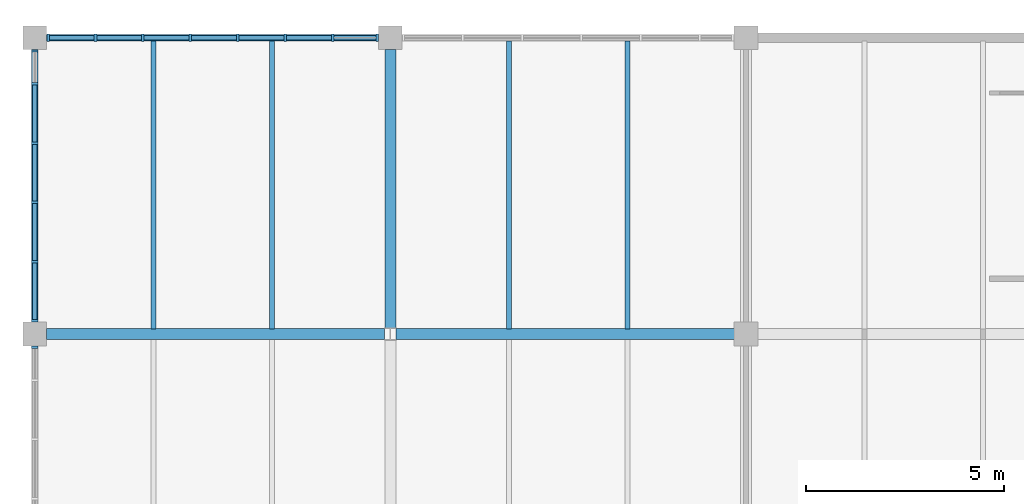
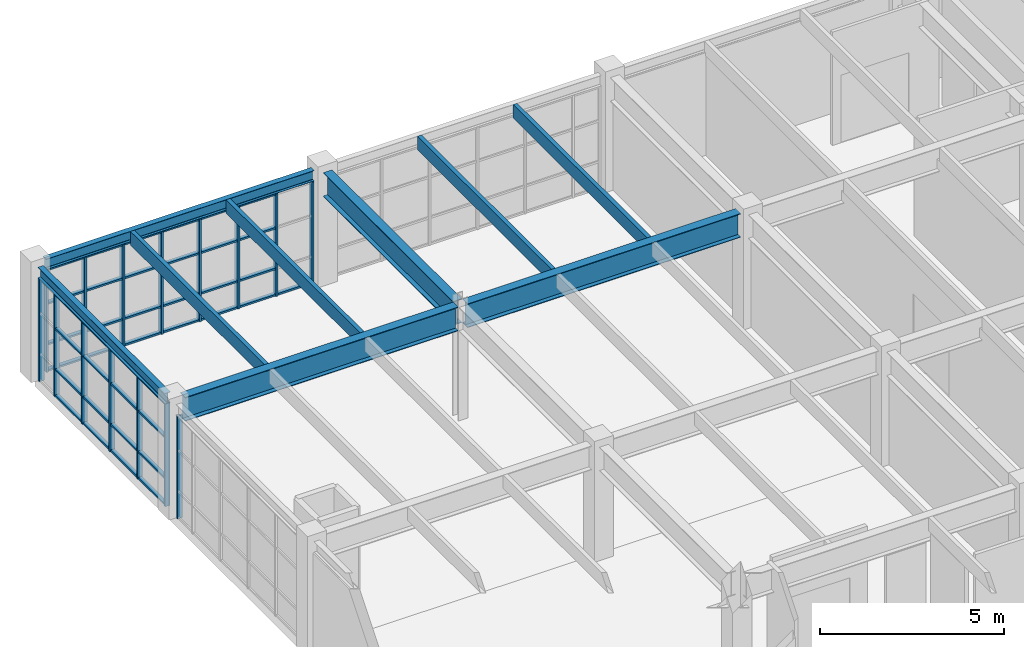
# One storey, part 34 of 76: 56 members, 9 beams, 3 elements without a shape of their own.
"""IFC4 building model written with IfcOpenShell, lengths in metres."""

import ifcopenshell
import ifcopenshell.guid

model = None  # the IFC model being written
_history = None  # IfcOwnerHistory: only IFC2X3 demands one
_inside = {}  # id of a spatial element -> (the spatial element, [elements in it])
_under = {}  # id of a project, library or spatial element -> (it, [spatial elements below it])
_declared = {}  # id of a project -> (the project, [libraries it declares])
_typed = {}  # id of a type object -> (the type object, [elements of that type])
_made_of = {}  # id of a material, layer set ... -> (it, [elements and type objects made of it])


def new_model(schema):
    """Start an empty IFC model of exactly this schema.

    Asked for "IFC4X3", IfcOpenShell would pick the latest addendum, in which some entities
    have other attributes; the version numbers below select the first issue.
    IFC2X3 requires an IfcOwnerHistory on every rooted entity: one is made here for all.
    """
    global model, _history
    if schema == "IFC4X3":
        model = ifcopenshell.file(schema_version=(4, 3, 0, 0))
    else:
        model = ifcopenshell.file(schema=schema)
    _inside.clear()
    _under.clear()
    _declared.clear()
    _typed.clear()
    _made_of.clear()
    _history = None
    if model.schema == "IFC2X3":
        org = make("IfcOrganization", Name="unknown")
        user = make(
            "IfcPersonAndOrganization",
            ThePerson=make("IfcPerson", FamilyName="unknown"),
            TheOrganization=org,
        )
        app = make(
            "IfcApplication",
            ApplicationDeveloper=org,
            Version="unknown",
            ApplicationFullName="unknown",
            ApplicationIdentifier="unknown",
        )
        _history = make(
            "IfcOwnerHistory",
            OwningUser=user,
            OwningApplication=app,
            ChangeAction="ADDED",
            CreationDate=0,
        )
    return model


def make(cls, **values):
    """One entity of the class cls with the attributes given. An attribute that is None is left unset."""
    return model.create_entity(
        cls, **{name: value for name, value in values.items() if value is not None}
    )


def rooted(cls, **values):
    """An entity with a GlobalId (a new one), such as an element, a storey or a relation."""
    return make(cls, GlobalId=ifcopenshell.guid.new(), OwnerHistory=_history, **values)


def si_unit(unit_type, name, prefix=None):
    """IfcSIUnit, for example si_unit("LENGTHUNIT", "METRE", prefix="MILLI")."""
    return make("IfcSIUnit", UnitType=unit_type, Prefix=prefix, Name=name)


def assignment(units):
    """IfcUnitAssignment: the units of a project."""
    return None if units is None else make("IfcUnitAssignment", Units=units)


def point(xyz):
    """IfcCartesianPoint."""
    return None if xyz is None else make("IfcCartesianPoint", Coordinates=xyz)


def direction(xyz):
    """IfcDirection."""
    return None if xyz is None else make("IfcDirection", DirectionRatios=xyz)


def frame(location, z_axis=None, x_axis=None):
    """IfcAxis2Placement3D, a coordinate frame: its origin and axes. An axis left out is left unset."""
    return make(
        "IfcAxis2Placement3D",
        Location=point(location),
        Axis=direction(z_axis),
        RefDirection=direction(x_axis),
    )


def frame_2d(location, x_axis=None):
    """IfcAxis2Placement2D, a coordinate frame in the plane: its origin and x axis."""
    return make(
        "IfcAxis2Placement2D", Location=point(location), RefDirection=direction(x_axis)
    )


def origin():
    """The frame at (0, 0, 0) with its axes left unset."""
    return frame((0.0, 0.0, 0.0))


def origin_2d():
    """The frame at (0, 0) in the plane with its x axis left unset."""
    return frame_2d((0.0, 0.0))


def place(relative_to, where):
    """IfcLocalPlacement: puts the frame where relative to a parent placement (None: the world)."""
    return make(
        "IfcLocalPlacement", PlacementRelTo=relative_to, RelativePlacement=where
    )


def context(
    kind, dimensions, precision=None, world=None, true_north=None, identifier=None
):
    """IfcGeometricRepresentationContext, for example the 3D "Model" context."""
    return make(
        "IfcGeometricRepresentationContext",
        ContextIdentifier=identifier,
        ContextType=kind,
        CoordinateSpaceDimension=dimensions,
        Precision=precision,
        WorldCoordinateSystem=world,
        TrueNorth=true_north,
    )


def subcontext(parent, identifier, kind, view, scale=None):
    """IfcGeometricRepresentationSubContext, for example "Body" below "Model"."""
    return make(
        "IfcGeometricRepresentationSubContext",
        ContextIdentifier=identifier,
        ContextType=kind,
        ParentContext=parent,
        TargetScale=scale,
        TargetView=view,
    )


def project(units=None, contexts=None):
    """IfcProject with its units and contexts."""
    return rooted(
        "IfcProject",
        Name="project",
        RepresentationContexts=contexts,
        UnitsInContext=assignment(units),
    )


def spatial(cls, under=None, at=None, **own):
    """A site, building, storey or space (cls), placed at a placement, below another one or the project."""
    s = rooted(cls, ObjectPlacement=at, **own)
    if under is not None:
        _under.setdefault(under.id(), (under, []))[1].append(s)
    return s


def profile(cls, at=None, kind="AREA", **sizes):
    """A parametric profile (cls). Its sizes go by their IFC names, for example OverallWidth=200.0."""
    return make(cls, ProfileType=kind, Position=at, **sizes)


def rectangle(**sizes):
    """IfcRectangleProfileDef."""
    return profile("IfcRectangleProfileDef", **sizes)


def i_section(**sizes):
    """IfcIShapeProfileDef."""
    return profile("IfcIShapeProfileDef", **sizes)


def extrude(swept, where, along, depth):
    """IfcExtrudedAreaSolid: the profile swept, set in the frame where, extruded along a direction by depth."""
    return make(
        "IfcExtrudedAreaSolid",
        SweptArea=swept,
        Position=where,
        ExtrudedDirection=direction(along),
        Depth=depth,
    )


def shape(context_of_items, identifier, shape_type, items):
    """IfcShapeRepresentation: the items that make up one representation, for example the "Body"."""
    return make(
        "IfcShapeRepresentation",
        ContextOfItems=context_of_items,
        RepresentationIdentifier=identifier,
        RepresentationType=shape_type,
        Items=items,
    )


def material(Name=None, Category=None):
    """IfcMaterial."""
    return make("IfcMaterial", Name=Name, Category=Category)


def layer(
    of_material, thickness, ventilated=None, Name=None, Category=None, Priority=None
):
    """IfcMaterialLayer: one layer of a wall or slab, of a material (None: an air gap)."""
    return make(
        "IfcMaterialLayer",
        Material=of_material,
        LayerThickness=thickness,
        IsVentilated=ventilated,
        Name=Name,
        Category=Category,
        Priority=Priority,
    )


def layer_set(layers, Name=None):
    """IfcMaterialLayerSet."""
    return make("IfcMaterialLayerSet", MaterialLayers=layers, LayerSetName=Name)


def material_profile(
    of_material, cross_section, Name=None, Category=None, Priority=None
):
    """IfcMaterialProfile: a cross section and its material."""
    return make(
        "IfcMaterialProfile",
        Name=Name,
        Material=of_material,
        Profile=cross_section,
        Priority=Priority,
        Category=Category,
    )


def profile_set(profiles, Name=None, composite=None):
    """IfcMaterialProfileSet."""
    return make(
        "IfcMaterialProfileSet",
        Name=Name,
        MaterialProfiles=profiles,
        CompositeProfile=composite,
    )


def made_of(thing, what):
    """Note that an element or type object is made of a material, layer set ...; save() writes the relation."""
    if what is not None:
        _made_of.setdefault(what.id(), (what, []))[1].append(thing)
    return thing


def type_object(cls, material=None, **own):
    """A type object (cls), such as IfcWallType, which elements share."""
    return made_of(rooted(cls, **own), material)


def element(
    cls,
    number,
    at=None,
    inside=None,
    cuts=None,
    type_object=None,
    material=None,
    context=None,
    identifier="Body",
    shape_type=None,
    held_by="IfcProductDefinitionShape",
    body=None,
    shapes=None,
    **own,
):
    """One element of the class cls, such as IfcWall. Its Tag is "e" and its number.

    at: its placement. inside: the storey or other place that contains it. cuts: it is an
    opening in that element (IfcRelVoidsElement). A single representation is given by context,
    identifier, shape_type and body (its items); several are given by shapes. held_by: the class
    of the entity that holds the representations. save() writes the other relations.
    """
    e = rooted(cls, Tag="e%d" % number, ObjectPlacement=at, **own)
    if body is not None:
        shapes = [shape(context, identifier, shape_type, body)]
    if shapes is not None:
        e.Representation = make(held_by, Representations=shapes)
    if inside is not None:
        _inside.setdefault(inside.id(), (inside, []))[1].append(e)
    if cuts is not None:
        rooted(
            "IfcRelVoidsElement", RelatingBuildingElement=cuts, RelatedOpeningElement=e
        )
    if type_object is not None:
        _typed.setdefault(type_object.id(), (type_object, []))[1].append(e)
    return made_of(e, material)


def aggregate(whole, parts):
    """IfcRelAggregates: a whole, such as a stair, and the parts it consists of."""
    return rooted("IfcRelAggregates", RelatingObject=whole, RelatedObjects=parts)


def save(model, path):
    """Write the relations noted so far, then the file.

    IfcRelAggregates (storeys below a building ...), IfcRelContainedInSpatialStructure (elements
    in a storey), IfcRelDefinesByType, IfcRelAssociatesMaterial and IfcRelDeclares: one each for
    every whole, place, type object, material and project.
    """
    for whole, parts in _under.values():
        aggregate(whole, parts)
    for where, things in _inside.values():
        rooted(
            "IfcRelContainedInSpatialStructure",
            RelatedElements=things,
            RelatingStructure=where,
        )
    for kind, things in _typed.values():
        rooted("IfcRelDefinesByType", RelatedObjects=things, RelatingType=kind)
    for what, things in _made_of.values():
        rooted("IfcRelAssociatesMaterial", RelatedObjects=things, RelatingMaterial=what)
    for by, libraries in _declared.values():
        rooted("IfcRelDeclares", RelatingContext=by, RelatedDefinitions=libraries)
    model.write(path)


model = new_model("IFC4")

# Units and contexts
model_context = context("Model", 3, precision=1e-05, world=origin(), true_north=direction((0.0, 1.0)))
body_context = subcontext(model_context, "Body", "Model", "MODEL_VIEW")
ifc_project = project(units=[si_unit("LENGTHUNIT", "METRE"), si_unit("AREAUNIT", "SQUARE_METRE"), si_unit("VOLUMEUNIT", "CUBIC_METRE"), si_unit("PLANEANGLEUNIT", "RADIAN"), si_unit("MASSUNIT", "GRAM", prefix="KILO")], contexts=[model_context])

# Site, building, storey
site_placement = place(None, origin())
site = spatial("IfcSite", under=ifc_project, at=site_placement, CompositionType="ELEMENT")
building_placement = place(site_placement, origin())
building = spatial("IfcBuilding", under=site, at=building_placement, Name="Marnridge Secondary College", CompositionType="ELEMENT")
storey_placement = place(building_placement, frame((0.0, 0.0, 4.5)))
storey = spatial("IfcBuildingStorey", under=building, at=storey_placement, Name="L01", CompositionType="ELEMENT", Elevation=4.5)

# Beams
ifc_material_1 = material(Name="Engineered timber LVL E13.2", Category="wood")
ifc_material_profile_1 = material_profile(ifc_material_1, rectangle(XDim=0.1259765625, YDim=0.449951171875, at=origin_2d()), Name="LVL 126x450")
ifc_profile_set_1 = profile_set([ifc_material_profile_1], Name="Engineered timber LVL E13.2")
beam_type_1 = type_object("IfcBeamType", Name="BM-LVL450-INT", PredefinedType="JOIST", material=ifc_profile_set_1)
for number, where, z_axis, x_axis, name in (
    (1, (3.0, 112.631591796875, 3.534912109375), (0.0, 1.0, 0.0), (-1.0, 0.0, 0.0), "Beam BJ-L01-0622"),
    (2, (6.0, 112.631591796875, 3.534912109375), (0.0, 1.0, 0.0), (-1.0, 0.0, 0.0), "Beam BJ-L01-0623"),
    (3, (12.0, 112.631591796875, 3.534912109375), (0.0, 1.0, 0.0), (-1.0, 0.0, 0.0), "Beam BJ-L01-0631"),
    (4, (15.0, 112.631591796875, 3.534912109375), (0.0, 1.0, 0.0), (-1.0, 0.0, 0.0), "Beam BJ-L01-0632"),
):
    element("IfcBeam", number, at=place(storey_placement, frame(where, z_axis=z_axis, x_axis=x_axis)), inside=storey, type_object=beam_type_1, Name=name, PredefinedType="JOIST", context=body_context, shape_type="SweptSolid", body=[
        extrude(rectangle(XDim=0.1259765625, YDim=0.449951171875, at=origin_2d()), origin(), (0.0, 0.0, 1.0), 7.288818359375),
    ])
ifc_material_2 = material(Name="Structural steel Grade 350 (AS/NZS 3679.1/.2, fy = 340-360 MPa)", Category="steel")
ifc_material_profile_2 = material_profile(ifc_material_2, i_section(OverallWidth=0.1708984375, OverallDepth=0.35205078125, WebThickness=0.0068359375, FlangeThickness=0.009765625, FilletRadius=0.011474609375, at=origin_2d()), Name="360UB44.7")
ifc_profile_set_2 = profile_set([ifc_material_profile_2], Name="Structural steel Grade 350 (AS/NZS 3679.1/.2, fy = 340-360 MPa)")
beam_type_2 = type_object("IfcBeamType", Name="BM-UB360-EXT", PredefinedType="SPANDREL", material=ifc_profile_set_2)
beam_1_placement = place(storey_placement, frame((0.2939453125, 120.0, 3.583984375), z_axis=(1.0, 0.0, 0.0), x_axis=(0.0, 1.0, 0.0)))
element("IfcBeam", 5, at=beam_1_placement, inside=storey, type_object=beam_type_2, Name="Beam BS-L01-0575", PredefinedType="SPANDREL", context=body_context, shape_type="SweptSolid", body=[
    extrude(i_section(OverallWidth=0.1708984375, OverallDepth=0.35205078125, WebThickness=0.0068359375, FlangeThickness=0.009765625, FilletRadius=0.011474609375, at=origin_2d()), origin(), (0.0, 0.0, 1.0), 8.412109375),
])
beam_2_placement = place(storey_placement, frame((0.0, 112.7939453125, 3.583984375), z_axis=(0.0, 1.0, 0.0), x_axis=(-1.0, 0.0, 0.0)))
element("IfcBeam", 6, at=beam_2_placement, inside=storey, type_object=beam_type_2, Name="Beam BS-L01-0576", PredefinedType="SPANDREL", context=body_context, shape_type="SweptSolid", body=[
    extrude(i_section(OverallWidth=0.1708984375, OverallDepth=0.35205078125, WebThickness=0.0068359375, FlangeThickness=0.009765625, FilletRadius=0.011474609375, at=origin_2d()), origin(), (0.0, 0.0, 1.0), 6.912109375),
])
ifc_material_3 = material(Name="Structural steel Grade 350 (AS/NZS 3679.1/.2, fy = 340-360 MPa)", Category="steel")
ifc_material_profile_3 = material_profile(ifc_material_3, i_section(OverallWidth=0.27490234375, OverallDepth=0.7919921875, WebThickness=0.010009765625, FlangeThickness=0.02001953125, at=origin_2d()), Name="800WB146")
ifc_profile_set_3 = profile_set([ifc_material_profile_3], Name="Structural steel Grade 350 (AS/NZS 3679.1/.2, fy = 340-360 MPa)")
beam_type_3 = type_object("IfcBeamType", Name="BM-WB800-INT", PredefinedType="BEAM", material=ifc_profile_set_3)
beam_3_placement = place(storey_placement, frame((0.2939453125, 112.5, 3.364013671875), z_axis=(1.0, 0.0, 0.0), x_axis=(0.0, 1.0, 0.0)))
element("IfcBeam", 7, at=beam_3_placement, inside=storey, type_object=beam_type_3, Name="Beam B-L01-0572", PredefinedType="BEAM", context=body_context, shape_type="SweptSolid", body=[
    extrude(i_section(OverallWidth=0.27490234375, OverallDepth=0.7919921875, WebThickness=0.010009765625, FlangeThickness=0.02001953125, at=origin_2d()), origin(), (0.0, 0.0, 1.0), 8.557373046875),
])
beam_4_placement = place(storey_placement, frame((9.0, 112.654296875, 3.364013671875), z_axis=(0.0, 1.0, 0.0), x_axis=(-1.0, 0.0, 0.0)))
element("IfcBeam", 8, at=beam_4_placement, inside=storey, type_object=beam_type_3, Name="Beam B-L01-0577", PredefinedType="BEAM", context=body_context, shape_type="SweptSolid", body=[
    extrude(i_section(OverallWidth=0.27490234375, OverallDepth=0.7919921875, WebThickness=0.010009765625, FlangeThickness=0.02001953125, at=origin_2d()), origin(), (0.0, 0.0, 1.0), 7.0517578125),
])
beam_5_placement = place(storey_placement, frame((9.148681640625, 112.5, 3.364013671875), z_axis=(1.0, 0.0, 0.0), x_axis=(0.0, 1.0, 0.0)))
element("IfcBeam", 9, at=beam_5_placement, inside=storey, type_object=beam_type_3, Name="Beam B-L01-0585", PredefinedType="BEAM", context=body_context, shape_type="SweptSolid", body=[
    extrude(i_section(OverallWidth=0.27490234375, OverallDepth=0.7919921875, WebThickness=0.010009765625, FlangeThickness=0.02001953125, at=origin_2d()), origin(), (0.0, 0.0, 1.0), 8.557373046875),
])

# Curtain wall, member
ifc_material_4 = material(Name="Thermally broken aluminium and low-E glazing", Category="aluminium")
ifc_layer_1 = layer(ifc_material_4, 0.159912109375)
ifc_layer_set_1 = layer_set([ifc_layer_1], Name="CW-MOD-1500")
curtain_wall_type_1 = type_object("IfcCurtainWallType", Name="CW-MOD-1500", PredefinedType="NOTDEFINED", material=ifc_layer_set_1)
curtain_wall_1_placement = place(storey_placement, origin())
curtain_wall_1 = element("IfcCurtainWall", 10, at=curtain_wall_1_placement, inside=storey, type_object=curtain_wall_type_1, Name="Unitised curtain wall CW-L01-057", PredefinedType="NOTDEFINED")
ifc_material_5 = material(Name="Anodised aluminium 6063-T6", Category="aluminium")
ifc_material_profile_4 = material_profile(ifc_material_5, rectangle(XDim=0.06005859375, YDim=0.159912109375, at=origin_2d()), Name="ALU 60x160")
ifc_profile_set_4 = profile_set([ifc_material_profile_4], Name="Anodised aluminium 6063-T6")
member_type_1 = type_object("IfcMemberType", Name="CWM-ALU160", PredefinedType="MULLION", material=ifc_profile_set_4)
member_1_placement = place(storey_placement, frame((0.0, 112.166015625, 0.0), z_axis=(0.0, 0.0, 1.0), x_axis=(0.0, 1.0, 0.0)))
member_1 = element("IfcMember", 11, at=member_1_placement, type_object=member_type_1, Name="CW-L01-057 mullion 6", PredefinedType="MULLION", context=body_context, shape_type="SweptSolid", body=[
    extrude(rectangle(XDim=0.06005859375, YDim=0.159912109375, at=origin_2d()), origin(), (0.0, 0.0, 1.0), 3.39990234375),
])
aggregate(curtain_wall_1, [member_1])

# Curtain wall, members
curtain_wall_2_placement = place(storey_placement, origin())
curtain_wall_2 = element("IfcCurtainWall", 12, at=curtain_wall_2_placement, inside=storey, type_object=curtain_wall_type_1, Name="Unitised curtain wall CW-L01-058", PredefinedType="NOTDEFINED")
member_2_placement = place(storey_placement, frame((0.0, 112.833984375, 0.0), z_axis=(0.0, 0.0, 1.0), x_axis=(0.0, 1.0, 0.0)))
member_2 = element("IfcMember", 13, at=member_2_placement, type_object=member_type_1, Name="CW-L01-058 mullion 1", PredefinedType="MULLION", context=body_context, shape_type="SweptSolid", body=[
    extrude(rectangle(XDim=0.06005859375, YDim=0.159912109375, at=origin_2d()), origin(), (0.0, 0.0, 1.0), 3.39990234375),
])
member_3_placement = place(storey_placement, frame((0.0, 114.333984375, 0.0), z_axis=(0.0, 0.0, 1.0), x_axis=(0.0, 1.0, 0.0)))
member_3 = element("IfcMember", 14, at=member_3_placement, type_object=member_type_1, Name="CW-L01-058 mullion 2", PredefinedType="MULLION", context=body_context, shape_type="SweptSolid", body=[
    extrude(rectangle(XDim=0.06005859375, YDim=0.159912109375, at=origin_2d()), origin(), (0.0, 0.0, 1.0), 3.39990234375),
])
member_4_placement = place(storey_placement, frame((0.0, 115.833984375, 0.0), z_axis=(0.0, 0.0, 1.0), x_axis=(0.0, 1.0, 0.0)))
member_4 = element("IfcMember", 15, at=member_4_placement, type_object=member_type_1, Name="CW-L01-058 mullion 3", PredefinedType="MULLION", context=body_context, shape_type="SweptSolid", body=[
    extrude(rectangle(XDim=0.06005859375, YDim=0.159912109375, at=origin_2d()), origin(), (0.0, 0.0, 1.0), 3.39990234375),
])
member_5_placement = place(storey_placement, frame((0.0, 117.333984375, 0.0), z_axis=(0.0, 0.0, 1.0), x_axis=(0.0, 1.0, 0.0)))
member_5 = element("IfcMember", 16, at=member_5_placement, type_object=member_type_1, Name="CW-L01-058 mullion 4", PredefinedType="MULLION", context=body_context, shape_type="SweptSolid", body=[
    extrude(rectangle(XDim=0.06005859375, YDim=0.159912109375, at=origin_2d()), origin(), (0.0, 0.0, 1.0), 3.39990234375),
])
member_6_placement = place(storey_placement, frame((0.0, 118.833984375, 0.0), z_axis=(0.0, 0.0, 1.0), x_axis=(0.0, 1.0, 0.0)))
member_6 = element("IfcMember", 17, at=member_6_placement, type_object=member_type_1, Name="CW-L01-058 mullion 5", PredefinedType="MULLION", context=body_context, shape_type="SweptSolid", body=[
    extrude(rectangle(XDim=0.06005859375, YDim=0.159912109375, at=origin_2d()), origin(), (0.0, 0.0, 1.0), 3.39990234375),
])
member_7_placement = place(storey_placement, frame((0.0, 119.666015625, 0.0), z_axis=(0.0, 0.0, 1.0), x_axis=(0.0, 1.0, 0.0)))
member_7 = element("IfcMember", 18, at=member_7_placement, type_object=member_type_1, Name="CW-L01-058 mullion 6", PredefinedType="MULLION", context=body_context, shape_type="SweptSolid", body=[
    extrude(rectangle(XDim=0.06005859375, YDim=0.159912109375, at=origin_2d()), origin(), (0.0, 0.0, 1.0), 3.39990234375),
])

ifc_material_6 = material(Name="Thermally broken aluminium and low-E glazing", Category="aluminium")
ifc_layer_2 = layer(ifc_material_6, 0.179931640625)
ifc_layer_set_2 = layer_set([ifc_layer_2], Name="CW-MOD-1200")
curtain_wall_type_2 = type_object("IfcCurtainWallType", Name="CW-MOD-1200", PredefinedType="NOTDEFINED", material=ifc_layer_set_2)
curtain_wall_3_placement = place(storey_placement, origin())
curtain_wall_3 = element("IfcCurtainWall", 19, at=curtain_wall_3_placement, inside=storey, type_object=curtain_wall_type_2, Name="Unitised curtain wall CW-L01-046", PredefinedType="NOTDEFINED")
ifc_material_7 = material(Name="Anodised aluminium 6063-T6", Category="aluminium")
ifc_material_profile_5 = material_profile(ifc_material_7, rectangle(XDim=0.06494140625, YDim=0.179931640625, at=origin_2d()), Name="ALU 65x180")
ifc_profile_set_5 = profile_set([ifc_material_profile_5], Name="Anodised aluminium 6063-T6")
member_type_2 = type_object("IfcMemberType", Name="CWM-ALU180", PredefinedType="MULLION", material=ifc_profile_set_5)
member_8_placement = place(storey_placement, frame((0.33642578125, 120.0, 0.0), z_axis=(0.0, 0.0, 1.0), x_axis=(1.0, 0.0, 0.0)))
member_8 = element("IfcMember", 20, at=member_8_placement, type_object=member_type_2, Name="CW-L01-046 mullion 1", PredefinedType="MULLION", context=body_context, shape_type="SweptSolid", body=[
    extrude(rectangle(XDim=0.06494140625, YDim=0.179931640625, at=origin_2d()), origin(), (0.0, 0.0, 1.0), 3.39990234375),
])
member_9_placement = place(storey_placement, frame((1.53662109375, 120.0, 0.0), z_axis=(0.0, 0.0, 1.0), x_axis=(1.0, 0.0, 0.0)))
member_9 = element("IfcMember", 21, at=member_9_placement, type_object=member_type_2, Name="CW-L01-046 mullion 2", PredefinedType="MULLION", context=body_context, shape_type="SweptSolid", body=[
    extrude(rectangle(XDim=0.06494140625, YDim=0.179931640625, at=origin_2d()), origin(), (0.0, 0.0, 1.0), 3.39990234375),
])
member_10_placement = place(storey_placement, frame((2.736572265625, 120.0, 0.0), z_axis=(0.0, 0.0, 1.0), x_axis=(1.0, 0.0, 0.0)))
member_10 = element("IfcMember", 22, at=member_10_placement, type_object=member_type_2, Name="CW-L01-046 mullion 3", PredefinedType="MULLION", context=body_context, shape_type="SweptSolid", body=[
    extrude(rectangle(XDim=0.06494140625, YDim=0.179931640625, at=origin_2d()), origin(), (0.0, 0.0, 1.0), 3.39990234375),
])
member_11_placement = place(storey_placement, frame((3.9365234375, 120.0, 0.0), z_axis=(0.0, 0.0, 1.0), x_axis=(1.0, 0.0, 0.0)))
member_11 = element("IfcMember", 23, at=member_11_placement, type_object=member_type_2, Name="CW-L01-046 mullion 4", PredefinedType="MULLION", context=body_context, shape_type="SweptSolid", body=[
    extrude(rectangle(XDim=0.06494140625, YDim=0.179931640625, at=origin_2d()), origin(), (0.0, 0.0, 1.0), 3.39990234375),
])
member_12_placement = place(storey_placement, frame((5.136474609375, 120.0, 0.0), z_axis=(0.0, 0.0, 1.0), x_axis=(1.0, 0.0, 0.0)))
member_12 = element("IfcMember", 24, at=member_12_placement, type_object=member_type_2, Name="CW-L01-046 mullion 5", PredefinedType="MULLION", context=body_context, shape_type="SweptSolid", body=[
    extrude(rectangle(XDim=0.06494140625, YDim=0.179931640625, at=origin_2d()), origin(), (0.0, 0.0, 1.0), 3.39990234375),
])
member_13_placement = place(storey_placement, frame((6.33642578125, 120.0, 0.0), z_axis=(0.0, 0.0, 1.0), x_axis=(1.0, 0.0, 0.0)))
member_13 = element("IfcMember", 25, at=member_13_placement, type_object=member_type_2, Name="CW-L01-046 mullion 6", PredefinedType="MULLION", context=body_context, shape_type="SweptSolid", body=[
    extrude(rectangle(XDim=0.06494140625, YDim=0.179931640625, at=origin_2d()), origin(), (0.0, 0.0, 1.0), 3.39990234375),
])
member_14_placement = place(storey_placement, frame((7.53662109375, 120.0, 0.0), z_axis=(0.0, 0.0, 1.0), x_axis=(1.0, 0.0, 0.0)))
member_14 = element("IfcMember", 26, at=member_14_placement, type_object=member_type_2, Name="CW-L01-046 mullion 7", PredefinedType="MULLION", context=body_context, shape_type="SweptSolid", body=[
    extrude(rectangle(XDim=0.06494140625, YDim=0.179931640625, at=origin_2d()), origin(), (0.0, 0.0, 1.0), 3.39990234375),
])
member_15_placement = place(storey_placement, frame((8.66357421875, 120.0, 0.0), z_axis=(0.0, 0.0, 1.0), x_axis=(1.0, 0.0, 0.0)))
member_15 = element("IfcMember", 27, at=member_15_placement, type_object=member_type_2, Name="CW-L01-046 mullion 8", PredefinedType="MULLION", context=body_context, shape_type="SweptSolid", body=[
    extrude(rectangle(XDim=0.06494140625, YDim=0.179931640625, at=origin_2d()), origin(), (0.0, 0.0, 1.0), 3.39990234375),
])
ifc_material_8 = material(Name="Anodised aluminium 6063-T6", Category="aluminium")
ifc_material_profile_6 = material_profile(ifc_material_8, rectangle(XDim=0.06005859375, YDim=0.1201171875, at=origin_2d()), Name="ALU 60x120")
ifc_profile_set_6 = profile_set([ifc_material_profile_6], Name="Anodised aluminium 6063-T6")
member_type_3 = type_object("IfcMemberType", Name="CWT-ALU120", PredefinedType="USERDEFINED", material=ifc_profile_set_6)
member_16_placement = place(storey_placement, frame((0.368896484375, 120.0, 0.030029296875), z_axis=(1.0, 0.0, 0.0), x_axis=(0.0, 0.0, 1.0)))
member_16 = element("IfcMember", 28, at=member_16_placement, type_object=member_type_3, Name="CW-L01-046 transom 1.1", ObjectType="TRANSOM", PredefinedType="USERDEFINED", context=body_context, shape_type="SweptSolid", body=[
    extrude(rectangle(XDim=0.06005859375, YDim=0.1201171875, at=origin_2d()), origin(), (0.0, 0.0, 1.0), 1.135009765625),
])
member_17_placement = place(storey_placement, frame((0.368896484375, 120.0, 0.89990234375), z_axis=(1.0, 0.0, 0.0), x_axis=(0.0, 0.0, 1.0)))
member_17 = element("IfcMember", 29, at=member_17_placement, type_object=member_type_3, Name="CW-L01-046 transom 1.2", ObjectType="TRANSOM", PredefinedType="USERDEFINED", context=body_context, shape_type="SweptSolid", body=[
    extrude(rectangle(XDim=0.06005859375, YDim=0.1201171875, at=origin_2d()), origin(), (0.0, 0.0, 1.0), 1.135009765625),
])
member_18_placement = place(storey_placement, frame((0.368896484375, 120.0, 2.25), z_axis=(1.0, 0.0, 0.0), x_axis=(0.0, 0.0, 1.0)))
member_18 = element("IfcMember", 30, at=member_18_placement, type_object=member_type_3, Name="CW-L01-046 transom 1.3", ObjectType="TRANSOM", PredefinedType="USERDEFINED", context=body_context, shape_type="SweptSolid", body=[
    extrude(rectangle(XDim=0.06005859375, YDim=0.1201171875, at=origin_2d()), origin(), (0.0, 0.0, 1.0), 1.135009765625),
])
member_19_placement = place(storey_placement, frame((0.368896484375, 120.0, 3.3701171875), z_axis=(1.0, 0.0, 0.0), x_axis=(0.0, 0.0, 1.0)))
member_19 = element("IfcMember", 31, at=member_19_placement, type_object=member_type_3, Name="CW-L01-046 transom 1.4", ObjectType="TRANSOM", PredefinedType="USERDEFINED", context=body_context, shape_type="SweptSolid", body=[
    extrude(rectangle(XDim=0.06005859375, YDim=0.1201171875, at=origin_2d()), origin(), (0.0, 0.0, 1.0), 1.135009765625),
])
member_20_placement = place(storey_placement, frame((1.569091796875, 120.0, 0.030029296875), z_axis=(1.0, 0.0, 0.0), x_axis=(0.0, 0.0, 1.0)))
member_20 = element("IfcMember", 32, at=member_20_placement, type_object=member_type_3, Name="CW-L01-046 transom 2.1", ObjectType="TRANSOM", PredefinedType="USERDEFINED", context=body_context, shape_type="SweptSolid", body=[
    extrude(rectangle(XDim=0.06005859375, YDim=0.1201171875, at=origin_2d()), origin(), (0.0, 0.0, 1.0), 1.135009765625),
])
member_21_placement = place(storey_placement, frame((1.569091796875, 120.0, 0.89990234375), z_axis=(1.0, 0.0, 0.0), x_axis=(0.0, 0.0, 1.0)))
member_21 = element("IfcMember", 33, at=member_21_placement, type_object=member_type_3, Name="CW-L01-046 transom 2.2", ObjectType="TRANSOM", PredefinedType="USERDEFINED", context=body_context, shape_type="SweptSolid", body=[
    extrude(rectangle(XDim=0.06005859375, YDim=0.1201171875, at=origin_2d()), origin(), (0.0, 0.0, 1.0), 1.135009765625),
])
member_22_placement = place(storey_placement, frame((1.569091796875, 120.0, 2.25), z_axis=(1.0, 0.0, 0.0), x_axis=(0.0, 0.0, 1.0)))
member_22 = element("IfcMember", 34, at=member_22_placement, type_object=member_type_3, Name="CW-L01-046 transom 2.3", ObjectType="TRANSOM", PredefinedType="USERDEFINED", context=body_context, shape_type="SweptSolid", body=[
    extrude(rectangle(XDim=0.06005859375, YDim=0.1201171875, at=origin_2d()), origin(), (0.0, 0.0, 1.0), 1.135009765625),
])
member_23_placement = place(storey_placement, frame((1.569091796875, 120.0, 3.3701171875), z_axis=(1.0, 0.0, 0.0), x_axis=(0.0, 0.0, 1.0)))
member_23 = element("IfcMember", 35, at=member_23_placement, type_object=member_type_3, Name="CW-L01-046 transom 2.4", ObjectType="TRANSOM", PredefinedType="USERDEFINED", context=body_context, shape_type="SweptSolid", body=[
    extrude(rectangle(XDim=0.06005859375, YDim=0.1201171875, at=origin_2d()), origin(), (0.0, 0.0, 1.0), 1.135009765625),
])
member_24_placement = place(storey_placement, frame((2.76904296875, 120.0, 0.030029296875), z_axis=(1.0, 0.0, 0.0), x_axis=(0.0, 0.0, 1.0)))
member_24 = element("IfcMember", 36, at=member_24_placement, type_object=member_type_3, Name="CW-L01-046 transom 3.1", ObjectType="TRANSOM", PredefinedType="USERDEFINED", context=body_context, shape_type="SweptSolid", body=[
    extrude(rectangle(XDim=0.06005859375, YDim=0.1201171875, at=origin_2d()), origin(), (0.0, 0.0, 1.0), 1.135009765625),
])
member_25_placement = place(storey_placement, frame((2.76904296875, 120.0, 0.89990234375), z_axis=(1.0, 0.0, 0.0), x_axis=(0.0, 0.0, 1.0)))
member_25 = element("IfcMember", 37, at=member_25_placement, type_object=member_type_3, Name="CW-L01-046 transom 3.2", ObjectType="TRANSOM", PredefinedType="USERDEFINED", context=body_context, shape_type="SweptSolid", body=[
    extrude(rectangle(XDim=0.06005859375, YDim=0.1201171875, at=origin_2d()), origin(), (0.0, 0.0, 1.0), 1.135009765625),
])
member_26_placement = place(storey_placement, frame((2.76904296875, 120.0, 2.25), z_axis=(1.0, 0.0, 0.0), x_axis=(0.0, 0.0, 1.0)))
member_26 = element("IfcMember", 38, at=member_26_placement, type_object=member_type_3, Name="CW-L01-046 transom 3.3", ObjectType="TRANSOM", PredefinedType="USERDEFINED", context=body_context, shape_type="SweptSolid", body=[
    extrude(rectangle(XDim=0.06005859375, YDim=0.1201171875, at=origin_2d()), origin(), (0.0, 0.0, 1.0), 1.135009765625),
])
member_27_placement = place(storey_placement, frame((2.76904296875, 120.0, 3.3701171875), z_axis=(1.0, 0.0, 0.0), x_axis=(0.0, 0.0, 1.0)))
member_27 = element("IfcMember", 39, at=member_27_placement, type_object=member_type_3, Name="CW-L01-046 transom 3.4", ObjectType="TRANSOM", PredefinedType="USERDEFINED", context=body_context, shape_type="SweptSolid", body=[
    extrude(rectangle(XDim=0.06005859375, YDim=0.1201171875, at=origin_2d()), origin(), (0.0, 0.0, 1.0), 1.135009765625),
])
member_28_placement = place(storey_placement, frame((3.968994140625, 120.0, 0.030029296875), z_axis=(1.0, 0.0, 0.0), x_axis=(0.0, 0.0, 1.0)))
member_28 = element("IfcMember", 40, at=member_28_placement, type_object=member_type_3, Name="CW-L01-046 transom 4.1", ObjectType="TRANSOM", PredefinedType="USERDEFINED", context=body_context, shape_type="SweptSolid", body=[
    extrude(rectangle(XDim=0.06005859375, YDim=0.1201171875, at=origin_2d()), origin(), (0.0, 0.0, 1.0), 1.135009765625),
])
member_29_placement = place(storey_placement, frame((3.968994140625, 120.0, 0.89990234375), z_axis=(1.0, 0.0, 0.0), x_axis=(0.0, 0.0, 1.0)))
member_29 = element("IfcMember", 41, at=member_29_placement, type_object=member_type_3, Name="CW-L01-046 transom 4.2", ObjectType="TRANSOM", PredefinedType="USERDEFINED", context=body_context, shape_type="SweptSolid", body=[
    extrude(rectangle(XDim=0.06005859375, YDim=0.1201171875, at=origin_2d()), origin(), (0.0, 0.0, 1.0), 1.135009765625),
])
member_30_placement = place(storey_placement, frame((3.968994140625, 120.0, 2.25), z_axis=(1.0, 0.0, 0.0), x_axis=(0.0, 0.0, 1.0)))
member_30 = element("IfcMember", 42, at=member_30_placement, type_object=member_type_3, Name="CW-L01-046 transom 4.3", ObjectType="TRANSOM", PredefinedType="USERDEFINED", context=body_context, shape_type="SweptSolid", body=[
    extrude(rectangle(XDim=0.06005859375, YDim=0.1201171875, at=origin_2d()), origin(), (0.0, 0.0, 1.0), 1.135009765625),
])
member_31_placement = place(storey_placement, frame((3.968994140625, 120.0, 3.3701171875), z_axis=(1.0, 0.0, 0.0), x_axis=(0.0, 0.0, 1.0)))
member_31 = element("IfcMember", 43, at=member_31_placement, type_object=member_type_3, Name="CW-L01-046 transom 4.4", ObjectType="TRANSOM", PredefinedType="USERDEFINED", context=body_context, shape_type="SweptSolid", body=[
    extrude(rectangle(XDim=0.06005859375, YDim=0.1201171875, at=origin_2d()), origin(), (0.0, 0.0, 1.0), 1.135009765625),
])
member_32_placement = place(storey_placement, frame((5.1689453125, 120.0, 0.030029296875), z_axis=(1.0, 0.0, 0.0), x_axis=(0.0, 0.0, 1.0)))
member_32 = element("IfcMember", 44, at=member_32_placement, type_object=member_type_3, Name="CW-L01-046 transom 5.1", ObjectType="TRANSOM", PredefinedType="USERDEFINED", context=body_context, shape_type="SweptSolid", body=[
    extrude(rectangle(XDim=0.06005859375, YDim=0.1201171875, at=origin_2d()), origin(), (0.0, 0.0, 1.0), 1.135009765625),
])
member_33_placement = place(storey_placement, frame((5.1689453125, 120.0, 0.89990234375), z_axis=(1.0, 0.0, 0.0), x_axis=(0.0, 0.0, 1.0)))
member_33 = element("IfcMember", 45, at=member_33_placement, type_object=member_type_3, Name="CW-L01-046 transom 5.2", ObjectType="TRANSOM", PredefinedType="USERDEFINED", context=body_context, shape_type="SweptSolid", body=[
    extrude(rectangle(XDim=0.06005859375, YDim=0.1201171875, at=origin_2d()), origin(), (0.0, 0.0, 1.0), 1.135009765625),
])
member_34_placement = place(storey_placement, frame((5.1689453125, 120.0, 2.25), z_axis=(1.0, 0.0, 0.0), x_axis=(0.0, 0.0, 1.0)))
member_34 = element("IfcMember", 46, at=member_34_placement, type_object=member_type_3, Name="CW-L01-046 transom 5.3", ObjectType="TRANSOM", PredefinedType="USERDEFINED", context=body_context, shape_type="SweptSolid", body=[
    extrude(rectangle(XDim=0.06005859375, YDim=0.1201171875, at=origin_2d()), origin(), (0.0, 0.0, 1.0), 1.135009765625),
])
member_35_placement = place(storey_placement, frame((5.1689453125, 120.0, 3.3701171875), z_axis=(1.0, 0.0, 0.0), x_axis=(0.0, 0.0, 1.0)))
member_35 = element("IfcMember", 47, at=member_35_placement, type_object=member_type_3, Name="CW-L01-046 transom 5.4", ObjectType="TRANSOM", PredefinedType="USERDEFINED", context=body_context, shape_type="SweptSolid", body=[
    extrude(rectangle(XDim=0.06005859375, YDim=0.1201171875, at=origin_2d()), origin(), (0.0, 0.0, 1.0), 1.135009765625),
])
member_36_placement = place(storey_placement, frame((6.368896484375, 120.0, 0.030029296875), z_axis=(1.0, 0.0, 0.0), x_axis=(0.0, 0.0, 1.0)))
member_36 = element("IfcMember", 48, at=member_36_placement, type_object=member_type_3, Name="CW-L01-046 transom 6.1", ObjectType="TRANSOM", PredefinedType="USERDEFINED", context=body_context, shape_type="SweptSolid", body=[
    extrude(rectangle(XDim=0.06005859375, YDim=0.1201171875, at=origin_2d()), origin(), (0.0, 0.0, 1.0), 1.135009765625),
])
member_37_placement = place(storey_placement, frame((6.368896484375, 120.0, 0.89990234375), z_axis=(1.0, 0.0, 0.0), x_axis=(0.0, 0.0, 1.0)))
member_37 = element("IfcMember", 49, at=member_37_placement, type_object=member_type_3, Name="CW-L01-046 transom 6.2", ObjectType="TRANSOM", PredefinedType="USERDEFINED", context=body_context, shape_type="SweptSolid", body=[
    extrude(rectangle(XDim=0.06005859375, YDim=0.1201171875, at=origin_2d()), origin(), (0.0, 0.0, 1.0), 1.135009765625),
])
member_38_placement = place(storey_placement, frame((6.368896484375, 120.0, 2.25), z_axis=(1.0, 0.0, 0.0), x_axis=(0.0, 0.0, 1.0)))
member_38 = element("IfcMember", 50, at=member_38_placement, type_object=member_type_3, Name="CW-L01-046 transom 6.3", ObjectType="TRANSOM", PredefinedType="USERDEFINED", context=body_context, shape_type="SweptSolid", body=[
    extrude(rectangle(XDim=0.06005859375, YDim=0.1201171875, at=origin_2d()), origin(), (0.0, 0.0, 1.0), 1.135009765625),
])
member_39_placement = place(storey_placement, frame((6.368896484375, 120.0, 3.3701171875), z_axis=(1.0, 0.0, 0.0), x_axis=(0.0, 0.0, 1.0)))
member_39 = element("IfcMember", 51, at=member_39_placement, type_object=member_type_3, Name="CW-L01-046 transom 6.4", ObjectType="TRANSOM", PredefinedType="USERDEFINED", context=body_context, shape_type="SweptSolid", body=[
    extrude(rectangle(XDim=0.06005859375, YDim=0.1201171875, at=origin_2d()), origin(), (0.0, 0.0, 1.0), 1.135009765625),
])
member_40_placement = place(storey_placement, frame((7.569091796875, 120.0, 0.030029296875), z_axis=(1.0, 0.0, 0.0), x_axis=(0.0, 0.0, 1.0)))
member_40 = element("IfcMember", 52, at=member_40_placement, type_object=member_type_3, Name="CW-L01-046 transom 7.1", ObjectType="TRANSOM", PredefinedType="USERDEFINED", context=body_context, shape_type="SweptSolid", body=[
    extrude(rectangle(XDim=0.06005859375, YDim=0.1201171875, at=origin_2d()), origin(), (0.0, 0.0, 1.0), 1.06201171875),
])
aggregate(curtain_wall_3, [member_8, member_9, member_10, member_11, member_12, member_13, member_14, member_15, member_16, member_17, member_18, member_19, member_20, member_21, member_22, member_23, member_24, member_25, member_26, member_27, member_28, member_29, member_30, member_31, member_32, member_33, member_34, member_35, member_36, member_37, member_38, member_39, member_40])

# Member
member_41_placement = place(storey_placement, frame((0.0, 112.864013671875, 0.030029296875), z_axis=(0.0, 1.0, 0.0), x_axis=(0.0, 0.0, 1.0)))
member_41 = element("IfcMember", 53, at=member_41_placement, type_object=member_type_3, Name="CW-L01-058 transom 1.1", ObjectType="TRANSOM", PredefinedType="USERDEFINED", context=body_context, shape_type="SweptSolid", body=[
    extrude(rectangle(XDim=0.06005859375, YDim=0.1201171875, at=origin_2d()), origin(), (0.0, 0.0, 1.0), 1.43994140625),
])

member_42_placement = place(storey_placement, frame((0.0, 112.864013671875, 0.89990234375), z_axis=(0.0, 1.0, 0.0), x_axis=(0.0, 0.0, 1.0)))
member_42 = element("IfcMember", 54, at=member_42_placement, type_object=member_type_3, Name="CW-L01-058 transom 1.2", ObjectType="TRANSOM", PredefinedType="USERDEFINED", context=body_context, shape_type="SweptSolid", body=[
    extrude(rectangle(XDim=0.06005859375, YDim=0.1201171875, at=origin_2d()), origin(), (0.0, 0.0, 1.0), 1.43994140625),
])

member_43_placement = place(storey_placement, frame((0.0, 112.864013671875, 2.25), z_axis=(0.0, 1.0, 0.0), x_axis=(0.0, 0.0, 1.0)))
member_43 = element("IfcMember", 55, at=member_43_placement, type_object=member_type_3, Name="CW-L01-058 transom 1.3", ObjectType="TRANSOM", PredefinedType="USERDEFINED", context=body_context, shape_type="SweptSolid", body=[
    extrude(rectangle(XDim=0.06005859375, YDim=0.1201171875, at=origin_2d()), origin(), (0.0, 0.0, 1.0), 1.43994140625),
])

member_44_placement = place(storey_placement, frame((0.0, 112.864013671875, 3.3701171875), z_axis=(0.0, 1.0, 0.0), x_axis=(0.0, 0.0, 1.0)))
member_44 = element("IfcMember", 56, at=member_44_placement, type_object=member_type_3, Name="CW-L01-058 transom 1.4", ObjectType="TRANSOM", PredefinedType="USERDEFINED", context=body_context, shape_type="SweptSolid", body=[
    extrude(rectangle(XDim=0.06005859375, YDim=0.1201171875, at=origin_2d()), origin(), (0.0, 0.0, 1.0), 1.43994140625),
])

member_45_placement = place(storey_placement, frame((0.0, 114.364013671875, 0.030029296875), z_axis=(0.0, 1.0, 0.0), x_axis=(0.0, 0.0, 1.0)))
member_45 = element("IfcMember", 57, at=member_45_placement, type_object=member_type_3, Name="CW-L01-058 transom 2.1", ObjectType="TRANSOM", PredefinedType="USERDEFINED", context=body_context, shape_type="SweptSolid", body=[
    extrude(rectangle(XDim=0.06005859375, YDim=0.1201171875, at=origin_2d()), origin(), (0.0, 0.0, 1.0), 1.43994140625),
])

member_46_placement = place(storey_placement, frame((0.0, 114.364013671875, 0.89990234375), z_axis=(0.0, 1.0, 0.0), x_axis=(0.0, 0.0, 1.0)))
member_46 = element("IfcMember", 58, at=member_46_placement, type_object=member_type_3, Name="CW-L01-058 transom 2.2", ObjectType="TRANSOM", PredefinedType="USERDEFINED", context=body_context, shape_type="SweptSolid", body=[
    extrude(rectangle(XDim=0.06005859375, YDim=0.1201171875, at=origin_2d()), origin(), (0.0, 0.0, 1.0), 1.43994140625),
])

member_47_placement = place(storey_placement, frame((0.0, 114.364013671875, 2.25), z_axis=(0.0, 1.0, 0.0), x_axis=(0.0, 0.0, 1.0)))
member_47 = element("IfcMember", 59, at=member_47_placement, type_object=member_type_3, Name="CW-L01-058 transom 2.3", ObjectType="TRANSOM", PredefinedType="USERDEFINED", context=body_context, shape_type="SweptSolid", body=[
    extrude(rectangle(XDim=0.06005859375, YDim=0.1201171875, at=origin_2d()), origin(), (0.0, 0.0, 1.0), 1.43994140625),
])

member_48_placement = place(storey_placement, frame((0.0, 114.364013671875, 3.3701171875), z_axis=(0.0, 1.0, 0.0), x_axis=(0.0, 0.0, 1.0)))
member_48 = element("IfcMember", 60, at=member_48_placement, type_object=member_type_3, Name="CW-L01-058 transom 2.4", ObjectType="TRANSOM", PredefinedType="USERDEFINED", context=body_context, shape_type="SweptSolid", body=[
    extrude(rectangle(XDim=0.06005859375, YDim=0.1201171875, at=origin_2d()), origin(), (0.0, 0.0, 1.0), 1.43994140625),
])

member_49_placement = place(storey_placement, frame((0.0, 115.864013671875, 0.030029296875), z_axis=(0.0, 1.0, 0.0), x_axis=(0.0, 0.0, 1.0)))
member_49 = element("IfcMember", 61, at=member_49_placement, type_object=member_type_3, Name="CW-L01-058 transom 3.1", ObjectType="TRANSOM", PredefinedType="USERDEFINED", context=body_context, shape_type="SweptSolid", body=[
    extrude(rectangle(XDim=0.06005859375, YDim=0.1201171875, at=origin_2d()), origin(), (0.0, 0.0, 1.0), 1.43994140625),
])

member_50_placement = place(storey_placement, frame((0.0, 115.864013671875, 0.89990234375), z_axis=(0.0, 1.0, 0.0), x_axis=(0.0, 0.0, 1.0)))
member_50 = element("IfcMember", 62, at=member_50_placement, type_object=member_type_3, Name="CW-L01-058 transom 3.2", ObjectType="TRANSOM", PredefinedType="USERDEFINED", context=body_context, shape_type="SweptSolid", body=[
    extrude(rectangle(XDim=0.06005859375, YDim=0.1201171875, at=origin_2d()), origin(), (0.0, 0.0, 1.0), 1.43994140625),
])

member_51_placement = place(storey_placement, frame((0.0, 115.864013671875, 2.25), z_axis=(0.0, 1.0, 0.0), x_axis=(0.0, 0.0, 1.0)))
member_51 = element("IfcMember", 63, at=member_51_placement, type_object=member_type_3, Name="CW-L01-058 transom 3.3", ObjectType="TRANSOM", PredefinedType="USERDEFINED", context=body_context, shape_type="SweptSolid", body=[
    extrude(rectangle(XDim=0.06005859375, YDim=0.1201171875, at=origin_2d()), origin(), (0.0, 0.0, 1.0), 1.43994140625),
])

member_52_placement = place(storey_placement, frame((0.0, 115.864013671875, 3.3701171875), z_axis=(0.0, 1.0, 0.0), x_axis=(0.0, 0.0, 1.0)))
member_52 = element("IfcMember", 64, at=member_52_placement, type_object=member_type_3, Name="CW-L01-058 transom 3.4", ObjectType="TRANSOM", PredefinedType="USERDEFINED", context=body_context, shape_type="SweptSolid", body=[
    extrude(rectangle(XDim=0.06005859375, YDim=0.1201171875, at=origin_2d()), origin(), (0.0, 0.0, 1.0), 1.43994140625),
])

member_53_placement = place(storey_placement, frame((0.0, 117.364013671875, 0.030029296875), z_axis=(0.0, 1.0, 0.0), x_axis=(0.0, 0.0, 1.0)))
member_53 = element("IfcMember", 65, at=member_53_placement, type_object=member_type_3, Name="CW-L01-058 transom 4.1", ObjectType="TRANSOM", PredefinedType="USERDEFINED", context=body_context, shape_type="SweptSolid", body=[
    extrude(rectangle(XDim=0.06005859375, YDim=0.1201171875, at=origin_2d()), origin(), (0.0, 0.0, 1.0), 1.43994140625),
])

member_54_placement = place(storey_placement, frame((0.0, 117.364013671875, 0.89990234375), z_axis=(0.0, 1.0, 0.0), x_axis=(0.0, 0.0, 1.0)))
member_54 = element("IfcMember", 66, at=member_54_placement, type_object=member_type_3, Name="CW-L01-058 transom 4.2", ObjectType="TRANSOM", PredefinedType="USERDEFINED", context=body_context, shape_type="SweptSolid", body=[
    extrude(rectangle(XDim=0.06005859375, YDim=0.1201171875, at=origin_2d()), origin(), (0.0, 0.0, 1.0), 1.43994140625),
])

member_55_placement = place(storey_placement, frame((0.0, 117.364013671875, 2.25), z_axis=(0.0, 1.0, 0.0), x_axis=(0.0, 0.0, 1.0)))
member_55 = element("IfcMember", 67, at=member_55_placement, type_object=member_type_3, Name="CW-L01-058 transom 4.3", ObjectType="TRANSOM", PredefinedType="USERDEFINED", context=body_context, shape_type="SweptSolid", body=[
    extrude(rectangle(XDim=0.06005859375, YDim=0.1201171875, at=origin_2d()), origin(), (0.0, 0.0, 1.0), 1.43994140625),
])

member_56_placement = place(storey_placement, frame((0.0, 117.364013671875, 3.3701171875), z_axis=(0.0, 1.0, 0.0), x_axis=(0.0, 0.0, 1.0)))
member_56 = element("IfcMember", 68, at=member_56_placement, type_object=member_type_3, Name="CW-L01-058 transom 4.4", ObjectType="TRANSOM", PredefinedType="USERDEFINED", context=body_context, shape_type="SweptSolid", body=[
    extrude(rectangle(XDim=0.06005859375, YDim=0.1201171875, at=origin_2d()), origin(), (0.0, 0.0, 1.0), 1.43994140625),
])

aggregate(curtain_wall_2, [member_2, member_3, member_4, member_5, member_6, member_7, member_41, member_42, member_43, member_44, member_45, member_46, member_47, member_48, member_49, member_50, member_51, member_52, member_53, member_54, member_55, member_56])

save(model, "model.ifc")
